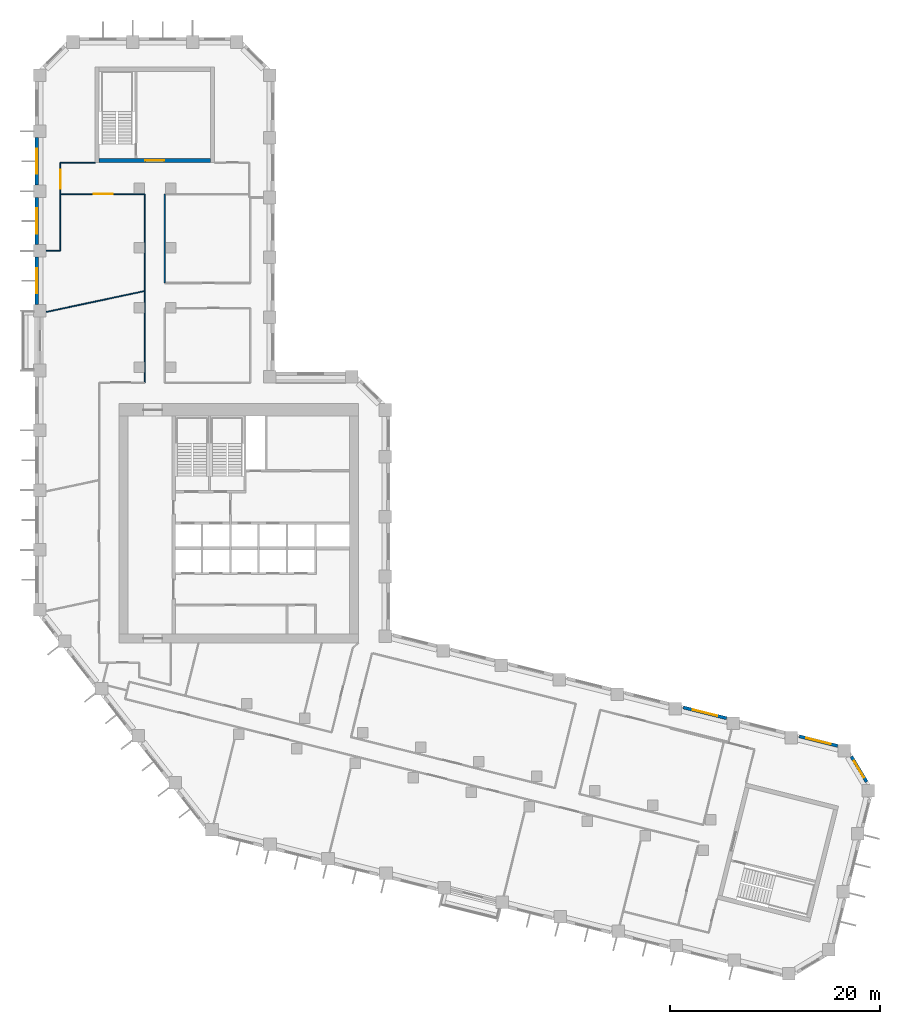
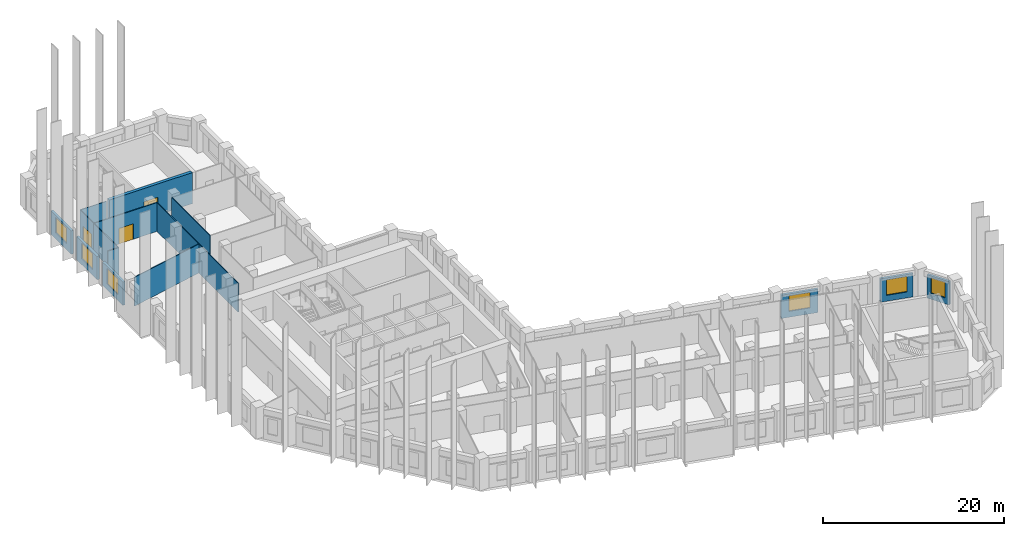
# One storey, part 7 of 10: 15 walls, 6 windows, 3 doors, 9 openings.
"""IFC4 building model written with IfcOpenShell, lengths in metres."""

import ifcopenshell
import ifcopenshell.guid

model = None  # the IFC model being written
_history = None  # IfcOwnerHistory: only IFC2X3 demands one
_inside = {}  # id of a spatial element -> (the spatial element, [elements in it])
_under = {}  # id of a project, library or spatial element -> (it, [spatial elements below it])
_declared = {}  # id of a project -> (the project, [libraries it declares])
_typed = {}  # id of a type object -> (the type object, [elements of that type])
_made_of = {}  # id of a material, layer set ... -> (it, [elements and type objects made of it])


def new_model(schema):
    """Start an empty IFC model of exactly this schema.

    Asked for "IFC4X3", IfcOpenShell would pick the latest addendum, in which some entities
    have other attributes; the version numbers below select the first issue.
    IFC2X3 requires an IfcOwnerHistory on every rooted entity: one is made here for all.
    """
    global model, _history
    if schema == "IFC4X3":
        model = ifcopenshell.file(schema_version=(4, 3, 0, 0))
    else:
        model = ifcopenshell.file(schema=schema)
    _inside.clear()
    _under.clear()
    _declared.clear()
    _typed.clear()
    _made_of.clear()
    _history = None
    if model.schema == "IFC2X3":
        org = make("IfcOrganization", Name="unknown")
        user = make(
            "IfcPersonAndOrganization",
            ThePerson=make("IfcPerson", FamilyName="unknown"),
            TheOrganization=org,
        )
        app = make(
            "IfcApplication",
            ApplicationDeveloper=org,
            Version="unknown",
            ApplicationFullName="unknown",
            ApplicationIdentifier="unknown",
        )
        _history = make(
            "IfcOwnerHistory",
            OwningUser=user,
            OwningApplication=app,
            ChangeAction="ADDED",
            CreationDate=0,
        )
    return model


def make(cls, **values):
    """One entity of the class cls with the attributes given. An attribute that is None is left unset."""
    return model.create_entity(
        cls, **{name: value for name, value in values.items() if value is not None}
    )


def rooted(cls, **values):
    """An entity with a GlobalId (a new one), such as an element, a storey or a relation."""
    return make(cls, GlobalId=ifcopenshell.guid.new(), OwnerHistory=_history, **values)


def si_unit(unit_type, name, prefix=None):
    """IfcSIUnit, for example si_unit("LENGTHUNIT", "METRE", prefix="MILLI")."""
    return make("IfcSIUnit", UnitType=unit_type, Prefix=prefix, Name=name)


def assignment(units):
    """IfcUnitAssignment: the units of a project."""
    return None if units is None else make("IfcUnitAssignment", Units=units)


def point(xyz):
    """IfcCartesianPoint."""
    return None if xyz is None else make("IfcCartesianPoint", Coordinates=xyz)


def direction(xyz):
    """IfcDirection."""
    return None if xyz is None else make("IfcDirection", DirectionRatios=xyz)


def frame(location, z_axis=None, x_axis=None):
    """IfcAxis2Placement3D, a coordinate frame: its origin and axes. An axis left out is left unset."""
    return make(
        "IfcAxis2Placement3D",
        Location=point(location),
        Axis=direction(z_axis),
        RefDirection=direction(x_axis),
    )


def frame_2d(location, x_axis=None):
    """IfcAxis2Placement2D, a coordinate frame in the plane: its origin and x axis."""
    return make(
        "IfcAxis2Placement2D", Location=point(location), RefDirection=direction(x_axis)
    )


def origin():
    """The frame at (0, 0, 0) with its axes left unset."""
    return frame((0.0, 0.0, 0.0))


def place(relative_to, where):
    """IfcLocalPlacement: puts the frame where relative to a parent placement (None: the world)."""
    return make(
        "IfcLocalPlacement", PlacementRelTo=relative_to, RelativePlacement=where
    )


def context(
    kind, dimensions, precision=None, world=None, true_north=None, identifier=None
):
    """IfcGeometricRepresentationContext, for example the 3D "Model" context."""
    return make(
        "IfcGeometricRepresentationContext",
        ContextIdentifier=identifier,
        ContextType=kind,
        CoordinateSpaceDimension=dimensions,
        Precision=precision,
        WorldCoordinateSystem=world,
        TrueNorth=true_north,
    )


def subcontext(parent, identifier, kind, view, scale=None):
    """IfcGeometricRepresentationSubContext, for example "Body" below "Model"."""
    return make(
        "IfcGeometricRepresentationSubContext",
        ContextIdentifier=identifier,
        ContextType=kind,
        ParentContext=parent,
        TargetScale=scale,
        TargetView=view,
    )


def project(units=None, contexts=None):
    """IfcProject with its units and contexts."""
    return rooted(
        "IfcProject",
        Name="project",
        RepresentationContexts=contexts,
        UnitsInContext=assignment(units),
    )


def spatial(cls, under=None, at=None, **own):
    """A site, building, storey or space (cls), placed at a placement, below another one or the project."""
    s = rooted(cls, ObjectPlacement=at, **own)
    if under is not None:
        _under.setdefault(under.id(), (under, []))[1].append(s)
    return s


def profile(cls, at=None, kind="AREA", **sizes):
    """A parametric profile (cls). Its sizes go by their IFC names, for example OverallWidth=200.0."""
    return make(cls, ProfileType=kind, Position=at, **sizes)


def rectangle(**sizes):
    """IfcRectangleProfileDef."""
    return profile("IfcRectangleProfileDef", **sizes)


def extrude(swept, where, along, depth):
    """IfcExtrudedAreaSolid: the profile swept, set in the frame where, extruded along a direction by depth."""
    return make(
        "IfcExtrudedAreaSolid",
        SweptArea=swept,
        Position=where,
        ExtrudedDirection=direction(along),
        Depth=depth,
    )


def shape(context_of_items, identifier, shape_type, items):
    """IfcShapeRepresentation: the items that make up one representation, for example the "Body"."""
    return make(
        "IfcShapeRepresentation",
        ContextOfItems=context_of_items,
        RepresentationIdentifier=identifier,
        RepresentationType=shape_type,
        Items=items,
    )


def material(Name=None, Category=None):
    """IfcMaterial."""
    return make("IfcMaterial", Name=Name, Category=Category)


def layer(
    of_material, thickness, ventilated=None, Name=None, Category=None, Priority=None
):
    """IfcMaterialLayer: one layer of a wall or slab, of a material (None: an air gap)."""
    return make(
        "IfcMaterialLayer",
        Material=of_material,
        LayerThickness=thickness,
        IsVentilated=ventilated,
        Name=Name,
        Category=Category,
        Priority=Priority,
    )


def layer_set(layers, Name=None):
    """IfcMaterialLayerSet."""
    return make("IfcMaterialLayerSet", MaterialLayers=layers, LayerSetName=Name)


def made_of(thing, what):
    """Note that an element or type object is made of a material, layer set ...; save() writes the relation."""
    if what is not None:
        _made_of.setdefault(what.id(), (what, []))[1].append(thing)
    return thing


def type_object(cls, material=None, **own):
    """A type object (cls), such as IfcWallType, which elements share."""
    return made_of(rooted(cls, **own), material)


def element(
    cls,
    number,
    at=None,
    inside=None,
    cuts=None,
    type_object=None,
    material=None,
    context=None,
    identifier="Body",
    shape_type=None,
    held_by="IfcProductDefinitionShape",
    body=None,
    shapes=None,
    **own,
):
    """One element of the class cls, such as IfcWall. Its Tag is "e" and its number.

    at: its placement. inside: the storey or other place that contains it. cuts: it is an
    opening in that element (IfcRelVoidsElement). A single representation is given by context,
    identifier, shape_type and body (its items); several are given by shapes. held_by: the class
    of the entity that holds the representations. save() writes the other relations.
    """
    e = rooted(cls, Tag="e%d" % number, ObjectPlacement=at, **own)
    if body is not None:
        shapes = [shape(context, identifier, shape_type, body)]
    if shapes is not None:
        e.Representation = make(held_by, Representations=shapes)
    if inside is not None:
        _inside.setdefault(inside.id(), (inside, []))[1].append(e)
    if cuts is not None:
        rooted(
            "IfcRelVoidsElement", RelatingBuildingElement=cuts, RelatedOpeningElement=e
        )
    if type_object is not None:
        _typed.setdefault(type_object.id(), (type_object, []))[1].append(e)
    return made_of(e, material)


def fill(opening, filler):
    """IfcRelFillsElement: the door or window that sits in an opening."""
    return rooted(
        "IfcRelFillsElement",
        RelatingOpeningElement=opening,
        RelatedBuildingElement=filler,
    )


def aggregate(whole, parts):
    """IfcRelAggregates: a whole, such as a stair, and the parts it consists of."""
    return rooted("IfcRelAggregates", RelatingObject=whole, RelatedObjects=parts)


def save(model, path):
    """Write the relations noted so far, then the file.

    IfcRelAggregates (storeys below a building ...), IfcRelContainedInSpatialStructure (elements
    in a storey), IfcRelDefinesByType, IfcRelAssociatesMaterial and IfcRelDeclares: one each for
    every whole, place, type object, material and project.
    """
    for whole, parts in _under.values():
        aggregate(whole, parts)
    for where, things in _inside.values():
        rooted(
            "IfcRelContainedInSpatialStructure",
            RelatedElements=things,
            RelatingStructure=where,
        )
    for kind, things in _typed.values():
        rooted("IfcRelDefinesByType", RelatedObjects=things, RelatingType=kind)
    for what, things in _made_of.values():
        rooted("IfcRelAssociatesMaterial", RelatedObjects=things, RelatingMaterial=what)
    for by, libraries in _declared.values():
        rooted("IfcRelDeclares", RelatingContext=by, RelatedDefinitions=libraries)
    model.write(path)


model = new_model("IFC4")

# Units and contexts
model_context = context("Model", 3, precision=1e-05, world=origin(), true_north=direction((0.0, 1.0)))
body_context = subcontext(model_context, "Body", "Model", "MODEL_VIEW")
ifc_project = project(units=[si_unit("LENGTHUNIT", "METRE"), si_unit("AREAUNIT", "SQUARE_METRE"), si_unit("VOLUMEUNIT", "CUBIC_METRE"), si_unit("PLANEANGLEUNIT", "RADIAN"), si_unit("MASSUNIT", "GRAM", prefix="KILO")], contexts=[model_context])

# Site, building, storey
site_placement = place(None, origin())
site = spatial("IfcSite", under=ifc_project, at=site_placement, CompositionType="ELEMENT")
building_placement = place(site_placement, origin())
building = spatial("IfcBuilding", under=site, at=building_placement, Name="Meshkara Civic Tower", CompositionType="ELEMENT")
storey_placement = place(building_placement, frame((0.0, 0.0, 178.199951171875)))
storey = spatial("IfcBuildingStorey", under=building, at=storey_placement, Name="L40", CompositionType="ELEMENT", Elevation=178.199951171875)

# Wall, opening, door
ifc_material_1 = material(Name="Corridor wall 100")
ifc_layer_1 = layer(ifc_material_1, 0.10009765625)
ifc_layer_set_1 = layer_set([ifc_layer_1], Name="Corridor wall 100")
wall_type_1 = type_object("IfcWallType", Name="Corridor wall 100", PredefinedType="PARTITIONING", material=ifc_layer_set_1)
wall_1_placement = place(storey_placement, frame((2.39990234375, 56.8701171875, 0.0), z_axis=(0.0, 0.0, 1.0), x_axis=(1.0, 0.0, 0.0)))
wall_1 = element("IfcWall", 1, at=wall_1_placement, inside=storey, type_object=wall_type_1, Name="L40-W001", PredefinedType="PARTITIONING", context=body_context, shape_type="SweptSolid", body=[
    extrude(rectangle(XDim=8.050048828125, YDim=0.10009765625, at=frame_2d((4.02490234375, 0.0))), origin(), (0.0, 0.0, 1.0), 3.900146484375),
])
opening_1_placement = place(wall_1_placement, frame((3.179931640625, 0.0, 0.0)))
opening_1 = element("IfcOpeningElement", 2, at=opening_1_placement, cuts=wall_1, Name="Opening L40-D021", PredefinedType="OPENING", context=body_context, shape_type="SweptSolid", body=[
    extrude(rectangle(XDim=1.800048828125, YDim=2.10009765625, at=frame_2d((0.89990234375, 1.050048828125))), frame((0.0, 0.06005859375, 0.0), z_axis=(0.0, -1.0, 0.0), x_axis=(1.0, 0.0, 0.0)), (0.0, 0.0, 1.0), 0.1201171875),
])
ifc_material_2 = material(Name="Door pair 1800 x 2100")
door_type_1 = type_object("IfcDoorType", Name="Door pair 1800 x 2100", OperationType="SINGLE_SWING_LEFT", PredefinedType="DOOR", material=ifc_material_2)
door_1_placement = place(opening_1_placement, origin())
door_1 = element("IfcDoor", 3, at=door_1_placement, inside=storey, type_object=door_type_1, Name="L40-D021", OperationType="DOUBLE_DOOR_SINGLE_SWING", OverallHeight=2.10009765625, OverallWidth=1.800048828125, PredefinedType="DOOR", context=body_context, shape_type="SweptSolid", body=[
    extrude(rectangle(XDim=1.800048828125, YDim=2.10009765625, at=frame_2d((0.89990234375, 1.050048828125))), frame((0.0, 0.02490234375, 0.0), z_axis=(0.0, -1.0, 0.0), x_axis=(1.0, 0.0, 0.0)), (0.0, 0.0, 1.0), 0.050048828125),
])
fill(opening_1, door_1)

wall_2_placement = place(storey_placement, frame((2.39990234375, 59.8701171875, 0.0), z_axis=(0.0, 0.0, 1.0), x_axis=(0.0, -1.0, 0.0)))
wall_2 = element("IfcWall", 4, at=wall_2_placement, inside=storey, type_object=wall_type_1, Name="L40-W002", PredefinedType="PARTITIONING", context=body_context, shape_type="SweptSolid", body=[
    extrude(rectangle(XDim=3.0, YDim=0.10009765625, at=frame_2d((1.5, 0.0))), origin(), (0.0, 0.0, 1.0), 3.900146484375),
])
opening_2_placement = place(wall_2_placement, frame((0.679931640625, 0.0, 0.0)))
opening_2 = element("IfcOpeningElement", 5, at=opening_2_placement, cuts=wall_2, Name="Opening L40-D020", PredefinedType="OPENING", context=body_context, shape_type="SweptSolid", body=[
    extrude(rectangle(XDim=1.800048828125, YDim=2.10009765625, at=frame_2d((0.89990234375, 1.050048828125))), frame((0.0, 0.06005859375, 0.0), z_axis=(0.0, -1.0, 0.0), x_axis=(1.0, 0.0, 0.0)), (0.0, 0.0, 1.0), 0.1201171875),
])
door_2_placement = place(opening_2_placement, origin())
door_2 = element("IfcDoor", 6, at=door_2_placement, inside=storey, type_object=door_type_1, Name="L40-D020", OperationType="DOUBLE_DOOR_SINGLE_SWING", OverallHeight=2.10009765625, OverallWidth=1.800048828125, PredefinedType="DOOR", context=body_context, shape_type="SweptSolid", body=[
    extrude(rectangle(XDim=1.800048828125, YDim=2.10009765625, at=frame_2d((0.89990234375, 1.050048828125))), frame((0.0, 0.02490234375, 0.0), z_axis=(0.0, -1.0, 0.0), x_axis=(1.0, 0.0, 0.0)), (0.0, 0.0, 1.0), 0.050048828125),
])
fill(opening_2, door_2)

# Walls
wall_3_placement = place(storey_placement, frame((5.699951171875, 59.8701171875, 0.0), z_axis=(0.0, 0.0, 1.0), x_axis=(-1.0, 0.0, 0.0)))
element("IfcWall", 7, at=wall_3_placement, inside=storey, type_object=wall_type_1, Name="L40-W003", PredefinedType="PARTITIONING", context=body_context, shape_type="SweptSolid", body=[
    extrude(rectangle(XDim=3.300048828125, YDim=0.10009765625, at=frame_2d((1.64990234375, 0.0))), origin(), (0.0, 0.0, 1.0), 3.900146484375),
])
wall_4_placement = place(storey_placement, frame((10.449951171875, 56.8701171875, 0.0), z_axis=(0.0, 0.0, 1.0), x_axis=(0.0, -1.0, 0.0)))
element("IfcWall", 8, at=wall_4_placement, inside=storey, type_object=wall_type_1, Name="L40-W012", PredefinedType="PARTITIONING", context=body_context, shape_type="SweptSolid", body=[
    extrude(rectangle(XDim=17.97021484375, YDim=0.10009765625, at=frame_2d((8.985107421875, 0.0))), origin(), (0.0, 0.0, 1.0), 3.900146484375),
])
wall_5_placement = place(storey_placement, frame((12.35009765625, 48.39990234375, 0.0), z_axis=(0.0, 0.0, 1.0), x_axis=(0.0, 1.0, 0.0)))
element("IfcWall", 9, at=wall_5_placement, inside=storey, type_object=wall_type_1, Name="L40-W014", PredefinedType="PARTITIONING", context=body_context, shape_type="SweptSolid", body=[
    extrude(rectangle(XDim=8.47021484375, YDim=0.10009765625, at=frame_2d((4.235107421875, 0.0))), origin(), (0.0, 0.0, 1.0), 3.900146484375),
])

# Wall, opening, window
ifc_material_3 = material(Name="Insulated infill panel with bronze anodised aluminium cladding", Category="aluminium")
ifc_layer_2 = layer(ifc_material_3, 0.300048828125)
ifc_layer_set_2 = layer_set([ifc_layer_2], Name="EXTERNAL INFILL WALL 300")
wall_type_2 = type_object("IfcWallType", Name="EXTERNAL INFILL WALL 300", PredefinedType="SOLIDWALL", material=ifc_layer_set_2)
wall_6_placement = place(storey_placement, frame((76.491943359375, 4.27197265625, 0.0), z_axis=(0.0, 0.0, 1.0), x_axis=(-0.970348377394, 0.241710625521, 0.0)))
wall_6 = element("IfcWall", 10, at=wall_6_placement, inside=storey, type_object=wall_type_2, Name="External wall", PredefinedType="SOLIDWALL", context=body_context, shape_type="SweptSolid", body=[
    extrude(rectangle(XDim=3.760498046875, YDim=0.300048828125, at=frame_2d((1.88037109375, 0.0))), origin(), (0.0, 0.0, 1.0), 3.150146484375),
])
opening_3_placement = place(wall_6_placement, frame((0.679931640625, 0.0, 0.800048828125)))
opening_3 = element("IfcOpeningElement", 11, at=opening_3_placement, cuts=wall_6, Name="Opening W7", PredefinedType="OPENING", context=body_context, shape_type="SweptSolid", body=[
    extrude(rectangle(XDim=2.39990234375, YDim=2.10009765625, at=frame_2d((1.199951171875, 1.050048828125))), frame((0.0, 0.159912109375, 0.0), z_axis=(0.0, -1.0, 0.0), x_axis=(1.0, 0.0, 0.0)), (0.0, 0.0, 1.0), 0.320068359375),
])
ifc_material_4 = material(Name="Tinted double glazing", Category="glass")
window_type_1 = type_object("IfcWindowType", Name="WINDOW 2400x2100", PartitioningType="DOUBLE_PANEL_VERTICAL", PredefinedType="WINDOW", material=ifc_material_4)
window_1_placement = place(opening_3_placement, origin())
window_1 = element("IfcWindow", 12, at=window_1_placement, inside=storey, type_object=window_type_1, Name="Window", OverallHeight=2.10009765625, OverallWidth=2.39990234375, PartitioningType="DOUBLE_PANEL_VERTICAL", PredefinedType="WINDOW", context=body_context, shape_type="SweptSolid", body=[
    extrude(rectangle(XDim=2.39990234375, YDim=2.10009765625, at=frame_2d((1.199951171875, 1.050048828125))), frame((0.0, 0.030029296875, 0.0), z_axis=(0.0, -1.0, 0.0), x_axis=(1.0, 0.0, 0.0)), (0.0, 0.0, 1.0), 0.06005859375),
])
fill(opening_3, window_1)

wall_7_placement = place(storey_placement, frame((65.90087890625, 6.912109375, 0.0), z_axis=(0.0, 0.0, 1.0), x_axis=(-0.970260760633, 0.242062091986, 0.0)))
wall_7 = element("IfcWall", 13, at=wall_7_placement, inside=storey, type_object=wall_type_2, Name="External wall", PredefinedType="SOLIDWALL", context=body_context, shape_type="SweptSolid", body=[
    extrude(rectangle(XDim=4.24609375, YDim=0.300048828125, at=frame_2d((2.123046875, 0.0))), origin(), (0.0, 0.0, 1.0), 3.150146484375),
])
opening_4_placement = place(wall_7_placement, frame((0.923095703125, 0.0, 0.800048828125)))
opening_4 = element("IfcOpeningElement", 14, at=opening_4_placement, cuts=wall_7, Name="Opening W7", PredefinedType="OPENING", context=body_context, shape_type="SweptSolid", body=[
    extrude(rectangle(XDim=2.39990234375, YDim=2.10009765625, at=frame_2d((1.199951171875, 1.050048828125))), frame((0.0, 0.159912109375, 0.0), z_axis=(0.0, -1.0, 0.0), x_axis=(1.0, 0.0, 0.0)), (0.0, 0.0, 1.0), 0.320068359375),
])
window_2_placement = place(opening_4_placement, origin())
window_2 = element("IfcWindow", 15, at=window_2_placement, inside=storey, type_object=window_type_1, Name="Window", OverallHeight=2.10009765625, OverallWidth=2.39990234375, PartitioningType="DOUBLE_PANEL_VERTICAL", PredefinedType="WINDOW", context=body_context, shape_type="SweptSolid", body=[
    extrude(rectangle(XDim=2.39990234375, YDim=2.10009765625, at=frame_2d((1.199951171875, 1.050048828125))), frame((0.0, 0.030029296875, 0.0), z_axis=(0.0, -1.0, 0.0), x_axis=(1.0, 0.0, 0.0)), (0.0, 0.0, 1.0), 0.06005859375),
])
fill(opening_4, window_2)

wall_8_placement = place(storey_placement, frame((0.14990234375, 62.2548828125, 0.0), z_axis=(0.0, 0.0, 1.0), x_axis=(0.0, -1.0, 0.0)))
wall_8 = element("IfcWall", 16, at=wall_8_placement, inside=storey, type_object=wall_type_2, Name="External wall", PredefinedType="SOLIDWALL", context=body_context, shape_type="SweptSolid", body=[
    extrude(rectangle(XDim=4.5, YDim=0.300048828125, at=frame_2d((2.25, 0.0))), origin(), (0.0, 0.0, 1.0), 3.150146484375),
])
opening_5_placement = place(wall_8_placement, frame((1.050048828125, 0.0, 0.800048828125)))
opening_5 = element("IfcOpeningElement", 17, at=opening_5_placement, cuts=wall_8, Name="Opening W7", PredefinedType="OPENING", context=body_context, shape_type="SweptSolid", body=[
    extrude(rectangle(XDim=2.39990234375, YDim=2.10009765625, at=frame_2d((1.199951171875, 1.050048828125))), frame((0.0, 0.159912109375, 0.0), z_axis=(0.0, -1.0, 0.0), x_axis=(1.0, 0.0, 0.0)), (0.0, 0.0, 1.0), 0.320068359375),
])
window_3_placement = place(opening_5_placement, origin())
window_3 = element("IfcWindow", 18, at=window_3_placement, inside=storey, type_object=window_type_1, Name="Window", OverallHeight=2.10009765625, OverallWidth=2.39990234375, PartitioningType="DOUBLE_PANEL_VERTICAL", PredefinedType="WINDOW", context=body_context, shape_type="SweptSolid", body=[
    extrude(rectangle(XDim=2.39990234375, YDim=2.10009765625, at=frame_2d((1.199951171875, 1.050048828125))), frame((0.0, 0.030029296875, 0.0), z_axis=(0.0, -1.0, 0.0), x_axis=(1.0, 0.0, 0.0)), (0.0, 0.0, 1.0), 0.06005859375),
])
fill(opening_5, window_3)

wall_9_placement = place(storey_placement, frame((0.14990234375, 56.554931640625, 0.0), z_axis=(0.0, 0.0, 1.0), x_axis=(0.0, -1.0, 0.0)))
wall_9 = element("IfcWall", 19, at=wall_9_placement, inside=storey, type_object=wall_type_2, Name="External wall", PredefinedType="SOLIDWALL", context=body_context, shape_type="SweptSolid", body=[
    extrude(rectangle(XDim=4.5, YDim=0.300048828125, at=frame_2d((2.25, 0.0))), origin(), (0.0, 0.0, 1.0), 3.150146484375),
])
opening_6_placement = place(wall_9_placement, frame((1.050048828125, 0.0, 0.800048828125)))
opening_6 = element("IfcOpeningElement", 20, at=opening_6_placement, cuts=wall_9, Name="Opening W7", PredefinedType="OPENING", context=body_context, shape_type="SweptSolid", body=[
    extrude(rectangle(XDim=2.39990234375, YDim=2.10009765625, at=frame_2d((1.199951171875, 1.050048828125))), frame((0.0, 0.159912109375, 0.0), z_axis=(0.0, -1.0, 0.0), x_axis=(1.0, 0.0, 0.0)), (0.0, 0.0, 1.0), 0.320068359375),
])
window_4_placement = place(opening_6_placement, origin())
window_4 = element("IfcWindow", 21, at=window_4_placement, inside=storey, type_object=window_type_1, Name="Window", OverallHeight=2.10009765625, OverallWidth=2.39990234375, PartitioningType="DOUBLE_PANEL_VERTICAL", PredefinedType="WINDOW", context=body_context, shape_type="SweptSolid", body=[
    extrude(rectangle(XDim=2.39990234375, YDim=2.10009765625, at=frame_2d((1.199951171875, 1.050048828125))), frame((0.0, 0.030029296875, 0.0), z_axis=(0.0, -1.0, 0.0), x_axis=(1.0, 0.0, 0.0)), (0.0, 0.0, 1.0), 0.06005859375),
])
fill(opening_6, window_4)

wall_10_placement = place(storey_placement, frame((0.14990234375, 50.85498046875, 0.0), z_axis=(0.0, 0.0, 1.0), x_axis=(0.0, -1.0, 0.0)))
wall_10 = element("IfcWall", 22, at=wall_10_placement, inside=storey, type_object=wall_type_2, Name="External wall", PredefinedType="SOLIDWALL", context=body_context, shape_type="SweptSolid", body=[
    extrude(rectangle(XDim=4.5, YDim=0.300048828125, at=frame_2d((2.25, 0.0))), origin(), (0.0, 0.0, 1.0), 3.150146484375),
])
opening_7_placement = place(wall_10_placement, frame((1.050048828125, 0.0, 0.800048828125)))
opening_7 = element("IfcOpeningElement", 23, at=opening_7_placement, cuts=wall_10, Name="Opening W7", PredefinedType="OPENING", context=body_context, shape_type="SweptSolid", body=[
    extrude(rectangle(XDim=2.39990234375, YDim=2.10009765625, at=frame_2d((1.199951171875, 1.050048828125))), frame((0.0, 0.159912109375, 0.0), z_axis=(0.0, -1.0, 0.0), x_axis=(1.0, 0.0, 0.0)), (0.0, 0.0, 1.0), 0.320068359375),
])
window_5_placement = place(opening_7_placement, origin())
window_5 = element("IfcWindow", 24, at=window_5_placement, inside=storey, type_object=window_type_1, Name="Window", OverallHeight=2.10009765625, OverallWidth=2.39990234375, PartitioningType="DOUBLE_PANEL_VERTICAL", PredefinedType="WINDOW", context=body_context, shape_type="SweptSolid", body=[
    extrude(rectangle(XDim=2.39990234375, YDim=2.10009765625, at=frame_2d((1.199951171875, 1.050048828125))), frame((0.0, 0.030029296875, 0.0), z_axis=(0.0, -1.0, 0.0), x_axis=(1.0, 0.0, 0.0)), (0.0, 0.0, 1.0), 0.06005859375),
])
fill(opening_7, window_5)

wall_11_placement = place(storey_placement, frame((79.257080078125, 0.839111328125, 0.0), z_axis=(0.0, 0.0, 1.0), x_axis=(-0.514992914014, 0.857194434487, 0.0)))
wall_11 = element("IfcWall", 25, at=wall_11_placement, inside=storey, type_object=wall_type_2, Name="External wall", PredefinedType="SOLIDWALL", context=body_context, shape_type="SweptSolid", body=[
    extrude(rectangle(XDim=2.81591796875, YDim=0.300048828125, at=frame_2d((1.407958984375, 0.0))), origin(), (0.0, 0.0, 1.0), 3.150146484375),
])
opening_8_placement = place(wall_11_placement, frame((0.508056640625, 0.0, 0.800048828125)))
opening_8 = element("IfcOpeningElement", 26, at=opening_8_placement, cuts=wall_11, Name="Opening W9", PredefinedType="OPENING", context=body_context, shape_type="SweptSolid", body=[
    extrude(rectangle(XDim=1.800048828125, YDim=2.10009765625, at=frame_2d((0.89990234375, 1.050048828125))), frame((0.0, 0.159912109375, 0.0), z_axis=(0.0, -1.0, 0.0), x_axis=(1.0, 0.0, 0.0)), (0.0, 0.0, 1.0), 0.320068359375),
])
ifc_material_5 = material(Name="Tinted double glazing", Category="glass")
window_type_2 = type_object("IfcWindowType", Name="WINDOW 1800x2100", PartitioningType="DOUBLE_PANEL_VERTICAL", PredefinedType="WINDOW", material=ifc_material_5)
window_6_placement = place(opening_8_placement, origin())
window_6 = element("IfcWindow", 27, at=window_6_placement, inside=storey, type_object=window_type_2, Name="Window", OverallHeight=2.10009765625, OverallWidth=1.800048828125, PartitioningType="DOUBLE_PANEL_VERTICAL", PredefinedType="WINDOW", context=body_context, shape_type="SweptSolid", body=[
    extrude(rectangle(XDim=1.800048828125, YDim=2.10009765625, at=frame_2d((0.89990234375, 1.050048828125))), frame((0.0, 0.030029296875, 0.0), z_axis=(0.0, -1.0, 0.0), x_axis=(1.0, 0.0, 0.0)), (0.0, 0.0, 1.0), 0.06005859375),
])
fill(opening_8, window_6)

# Wall, opening, door
ifc_material_6 = material(Name="Concrete C70", Category="concrete")
ifc_layer_3 = layer(ifc_material_6, 0.39990234375)
ifc_layer_set_3 = layer_set([ifc_layer_3], Name="End core ring wall 400 C70")
wall_type_3 = type_object("IfcWallType", Name="End core ring wall 400 C70", PredefinedType="SHEAR", material=ifc_layer_set_3)
wall_12_placement = place(storey_placement, frame((6.10009765625, 60.070068359375, -0.300048828125), z_axis=(0.0, 0.0, 1.0), x_axis=(1.0, 0.0, 0.0)))
wall_12 = element("IfcWall", 28, at=wall_12_placement, inside=storey, type_object=wall_type_3, Name="L40-C024", PredefinedType="SHEAR", context=body_context, shape_type="SweptSolid", body=[
    extrude(rectangle(XDim=10.599853515625, YDim=0.39990234375, at=frame_2d((5.2998046875, 0.0))), origin(), (0.0, 0.0, 1.0), 4.2001953125),
])
opening_9_placement = place(wall_12_placement, frame((4.39990234375, 0.0, 0.300048828125)))
opening_9 = element("IfcOpeningElement", 29, at=opening_9_placement, cuts=wall_12, Name="Opening L40-K102", PredefinedType="OPENING", context=body_context, shape_type="SweptSolid", body=[
    extrude(rectangle(XDim=1.800048828125, YDim=2.10009765625, at=frame_2d((0.89990234375, 1.050048828125))), frame((0.0, 0.2099609375, 0.0), z_axis=(0.0, -1.0, 0.0), x_axis=(1.0, 0.0, 0.0)), (0.0, 0.0, 1.0), 0.419921875),
])
ifc_material_7 = material(Name="Fire-rated door leaf in steel frame", Category="steel")
door_type_2 = type_object("IfcDoorType", Name="Core double door 1800 EI 60", OperationType="DOUBLE_DOOR_SINGLE_SWING", PredefinedType="DOOR", material=ifc_material_7)
door_3_placement = place(opening_9_placement, origin())
door_3 = element("IfcDoor", 30, at=door_3_placement, inside=storey, type_object=door_type_2, Name="L40-K102", OperationType="DOUBLE_DOOR_SINGLE_SWING", OverallHeight=2.10009765625, OverallWidth=1.800048828125, PredefinedType="DOOR", context=body_context, shape_type="SweptSolid", body=[
    extrude(rectangle(XDim=1.800048828125, YDim=2.10009765625, at=frame_2d((0.89990234375, 1.050048828125))), frame((0.0, 0.02490234375, 0.0), z_axis=(0.0, -1.0, 0.0), x_axis=(1.0, 0.0, 0.0)), (0.0, 0.0, 1.0), 0.050048828125),
])
fill(opening_9, door_3)

# Walls
ifc_material_8 = material(Name="Partition 100")
ifc_layer_4 = layer(ifc_material_8, 0.10009765625)
ifc_layer_set_4 = layer_set([ifc_layer_4], Name="Partition 100")
wall_type_4 = type_object("IfcWallType", Name="Partition 100", PredefinedType="PARTITIONING", material=ifc_layer_set_4)
wall_13_placement = place(storey_placement, frame((2.39990234375, 51.455078125, 0.0), z_axis=(0.0, 0.0, 1.0), x_axis=(-1.0, 0.0, 0.0)))
element("IfcWall", 31, at=wall_13_placement, inside=storey, type_object=wall_type_4, Name="L40-W043", PredefinedType="PARTITIONING", context=body_context, shape_type="SweptSolid", body=[
    extrude(rectangle(XDim=1.349853515625, YDim=0.10009765625, at=frame_2d((0.6748046875, 0.0))), origin(), (0.0, 0.0, 1.0), 3.900146484375),
])
wall_14_placement = place(storey_placement, frame((2.39990234375, 56.8740234375, 0.0), z_axis=(0.0, 0.0, 1.0), x_axis=(0.0, -1.0, 0.0)))
element("IfcWall", 32, at=wall_14_placement, inside=storey, type_object=wall_type_4, Name="L40-W044", PredefinedType="PARTITIONING", context=body_context, shape_type="SweptSolid", body=[
    extrude(rectangle(XDim=5.4189453125, YDim=0.10009765625, at=frame_2d((2.70947265625, 0.0))), origin(), (0.0, 0.0, 1.0), 3.900146484375),
])
wall_15_placement = place(storey_placement, frame((10.389892578125, 47.623046875, 0.0), z_axis=(0.0, 0.0, 1.0), x_axis=(-0.978129729955, -0.207995748463, 0.0)))
element("IfcWall", 33, at=wall_15_placement, inside=storey, type_object=wall_type_4, Name="L40-W049", PredefinedType="PARTITIONING", context=body_context, shape_type="SweptSolid", body=[
    extrude(rectangle(XDim=9.548583984375, YDim=0.10009765625, at=frame_2d((4.7744140625, 0.0))), origin(), (0.0, 0.0, 1.0), 3.900146484375),
])

save(model, "model.ifc")
